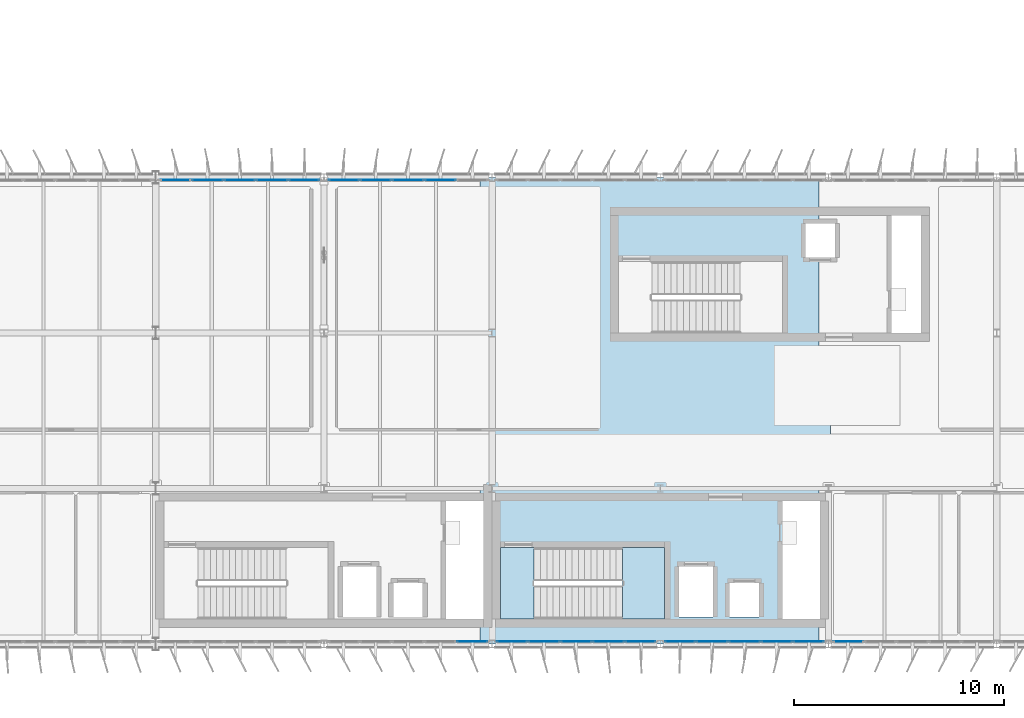
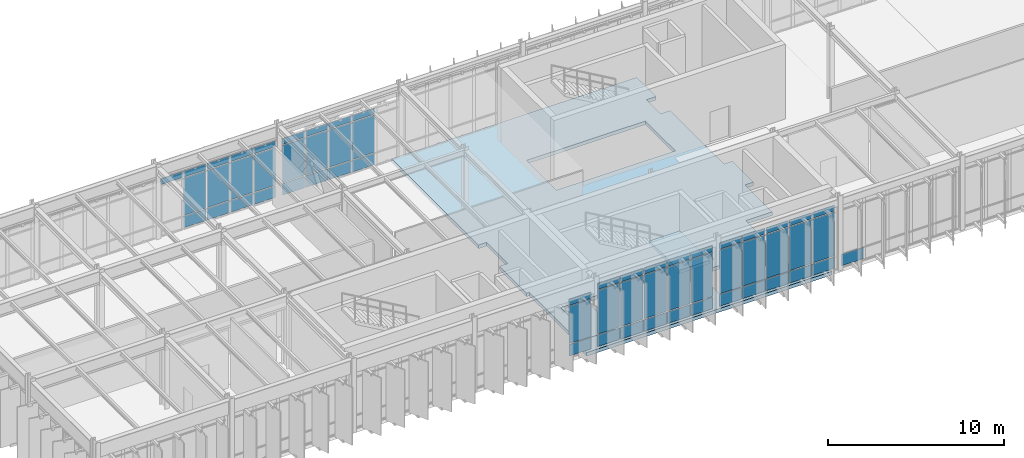
# One storey, part 27 of 48: 59 plates, 3 slabs, 7 elements without a shape of their own.
"""IFC4 building model written with IfcOpenShell, lengths in metres."""

from ifc_helpers import new_model, si_unit, direction, frame, origin, origin_2d, place, context, subcontext, project, spatial, polyline, rectangle, outline, extrude, material, layer, layer_set, type_object, element, aggregate, save


model = new_model("IFC4")

# Units and contexts
model_context = context("Model", 3, precision=1e-05, world=origin(), true_north=direction((0.0, 1.0)))
body_context = subcontext(model_context, "Body", "Model", "MODEL_VIEW")
ifc_project = project(units=[si_unit("LENGTHUNIT", "METRE"), si_unit("AREAUNIT", "SQUARE_METRE"), si_unit("VOLUMEUNIT", "CUBIC_METRE"), si_unit("PLANEANGLEUNIT", "RADIAN"), si_unit("MASSUNIT", "GRAM", prefix="KILO")], contexts=[model_context])

# Site, building, storey
site_placement = place(None, origin())
site = spatial("IfcSite", under=ifc_project, at=site_placement, CompositionType="ELEMENT")
building_placement = place(site_placement, origin())
building = spatial("IfcBuilding", under=site, at=building_placement, Name="Valkorina Park Police Headquarters", CompositionType="ELEMENT")
storey_placement = place(building_placement, frame((0.0, 0.0, 18.10009765625)))
storey = spatial("IfcBuildingStorey", under=building, at=storey_placement, Name="L05", CompositionType="ELEMENT", Elevation=18.10009765625)

# Curtain wall, plate
ifc_material_1 = material(Name="Thermally broken aluminium AW-6060", Category="aluminium")
ifc_layer_1 = layer(ifc_material_1, 0.18994140625)
ifc_layer_set_1 = layer_set([ifc_layer_1], Name="Thermally broken aluminium AW-6060")
curtain_wall_type_1 = type_object("IfcCurtainWallType", Name="CW-V5-7680x4520", PredefinedType="NOTDEFINED", material=ifc_layer_set_1)
curtain_wall_1_placement = place(storey_placement, origin())
curtain_wall_1 = element("IfcCurtainWall", 1, at=curtain_wall_1_placement, inside=storey, type_object=curtain_wall_type_1, Name="L05 Unitised Curtain Wall 068", PredefinedType="NOTDEFINED")
ifc_layer_2 = layer(ifc_material_1, 0.050048828125)
ifc_layer_set_2 = layer_set([ifc_layer_2], Name="Thermally broken aluminium AW-6060")
plate_type_1 = type_object("IfcPlateType", Name="PL-CWP-SPANDREL-50", PredefinedType="CURTAIN_PANEL", material=ifc_layer_set_2)
plate_1_placement = place(storey_placement, frame((49.74560546875, 37.1201171875, 0.06982421875), z_axis=(0.0, 0.0, 1.0), x_axis=(-1.0, 0.0, 0.0)))
plate_1 = element("IfcPlate", 2, at=plate_1_placement, type_object=plate_type_1, Name="CW-V5-768-452 panel 5.1", PredefinedType="CURTAIN_PANEL", context=body_context, shape_type="SweptSolid", body=[
    extrude(rectangle(XDim=1.430908203125, YDim=0.028076171875, at=origin_2d()), origin(), (0.0, 0.0, 1.0), 0.794921875),
])
aggregate(curtain_wall_1, [plate_1])

# Curtain wall, plates
curtain_wall_2_placement = place(storey_placement, origin())
curtain_wall_2 = element("IfcCurtainWall", 3, at=curtain_wall_2_placement, inside=storey, type_object=curtain_wall_type_1, Name="L05 Unitised Curtain Wall 069", PredefinedType="NOTDEFINED")
plate_2_placement = place(storey_placement, frame((47.8544921875, 37.1201171875, 0.06982421875), z_axis=(0.0, 0.0, 1.0), x_axis=(-1.0, 0.0, 0.0)))
plate_2 = element("IfcPlate", 4, at=plate_2_placement, type_object=plate_type_1, Name="CW-V5-768-452 panel 1.1", PredefinedType="CURTAIN_PANEL", context=body_context, shape_type="SweptSolid", body=[
    extrude(rectangle(XDim=1.430908203125, YDim=0.028076171875, at=origin_2d()), origin(), (0.0, 0.0, 1.0), 0.794921875),
])
plate_3_placement = place(storey_placement, frame((46.3359375, 37.1201171875, 0.06982421875), z_axis=(0.0, 0.0, 1.0), x_axis=(-1.0, 0.0, 0.0)))
plate_3 = element("IfcPlate", 5, at=plate_3_placement, type_object=plate_type_1, Name="CW-V5-768-452 panel 2.1", PredefinedType="CURTAIN_PANEL", context=body_context, shape_type="SweptSolid", body=[
    extrude(rectangle(XDim=1.466064453125, YDim=0.028076171875, at=origin_2d()), origin(), (0.0, 0.0, 1.0), 0.794921875),
])
plate_4_placement = place(storey_placement, frame((44.800048828125, 37.1201171875, 0.06982421875), z_axis=(0.0, 0.0, 1.0), x_axis=(-1.0, 0.0, 0.0)))
plate_4 = element("IfcPlate", 6, at=plate_4_placement, type_object=plate_type_1, Name="CW-V5-768-452 panel 3.1", PredefinedType="CURTAIN_PANEL", context=body_context, shape_type="SweptSolid", body=[
    extrude(rectangle(XDim=1.466064453125, YDim=0.028076171875, at=origin_2d()), origin(), (0.0, 0.0, 1.0), 0.794921875),
])
plate_5_placement = place(storey_placement, frame((43.263916015625, 37.1201171875, 0.06982421875), z_axis=(0.0, 0.0, 1.0), x_axis=(-1.0, 0.0, 0.0)))
plate_5 = element("IfcPlate", 7, at=plate_5_placement, type_object=plate_type_1, Name="CW-V5-768-452 panel 4.1", PredefinedType="CURTAIN_PANEL", context=body_context, shape_type="SweptSolid", body=[
    extrude(rectangle(XDim=1.466064453125, YDim=0.028076171875, at=origin_2d()), origin(), (0.0, 0.0, 1.0), 0.794921875),
])
plate_6_placement = place(storey_placement, frame((41.74560546875, 37.1201171875, 0.06982421875), z_axis=(0.0, 0.0, 1.0), x_axis=(-1.0, 0.0, 0.0)))
plate_6 = element("IfcPlate", 8, at=plate_6_placement, type_object=plate_type_1, Name="CW-V5-768-452 panel 5.1", PredefinedType="CURTAIN_PANEL", context=body_context, shape_type="SweptSolid", body=[
    extrude(rectangle(XDim=1.430908203125, YDim=0.028076171875, at=origin_2d()), origin(), (0.0, 0.0, 1.0), 0.794921875),
])

curtain_wall_3_placement = place(storey_placement, origin())
curtain_wall_3 = element("IfcCurtainWall", 9, at=curtain_wall_3_placement, inside=storey, type_object=curtain_wall_type_1, Name="L05 Unitised Curtain Wall 070", PredefinedType="NOTDEFINED")
plate_7_placement = place(storey_placement, frame((39.8544921875, 37.1201171875, 0.06982421875), z_axis=(0.0, 0.0, 1.0), x_axis=(-1.0, 0.0, 0.0)))
plate_7 = element("IfcPlate", 10, at=plate_7_placement, type_object=plate_type_1, Name="CW-V5-768-452 panel 1.1", PredefinedType="CURTAIN_PANEL", context=body_context, shape_type="SweptSolid", body=[
    extrude(rectangle(XDim=1.430908203125, YDim=0.028076171875, at=origin_2d()), origin(), (0.0, 0.0, 1.0), 0.794921875),
])
plate_8_placement = place(storey_placement, frame((38.3359375, 37.1201171875, 0.06982421875), z_axis=(0.0, 0.0, 1.0), x_axis=(-1.0, 0.0, 0.0)))
plate_8 = element("IfcPlate", 11, at=plate_8_placement, type_object=plate_type_1, Name="CW-V5-768-452 panel 2.1", PredefinedType="CURTAIN_PANEL", context=body_context, shape_type="SweptSolid", body=[
    extrude(rectangle(XDim=1.466064453125, YDim=0.028076171875, at=origin_2d()), origin(), (0.0, 0.0, 1.0), 0.794921875),
])
plate_9_placement = place(storey_placement, frame((36.800048828125, 37.1201171875, 0.06982421875), z_axis=(0.0, 0.0, 1.0), x_axis=(-1.0, 0.0, 0.0)))
plate_9 = element("IfcPlate", 12, at=plate_9_placement, type_object=plate_type_1, Name="CW-V5-768-452 panel 3.1", PredefinedType="CURTAIN_PANEL", context=body_context, shape_type="SweptSolid", body=[
    extrude(rectangle(XDim=1.466064453125, YDim=0.028076171875, at=origin_2d()), origin(), (0.0, 0.0, 1.0), 0.794921875),
])
plate_10_placement = place(storey_placement, frame((35.263916015625, 37.1201171875, 0.06982421875), z_axis=(0.0, 0.0, 1.0), x_axis=(-1.0, 0.0, 0.0)))
plate_10 = element("IfcPlate", 13, at=plate_10_placement, type_object=plate_type_1, Name="CW-V5-768-452 panel 4.1", PredefinedType="CURTAIN_PANEL", context=body_context, shape_type="SweptSolid", body=[
    extrude(rectangle(XDim=1.466064453125, YDim=0.028076171875, at=origin_2d()), origin(), (0.0, 0.0, 1.0), 0.794921875),
])
plate_11_placement = place(storey_placement, frame((33.74560546875, 37.1201171875, 0.06982421875), z_axis=(0.0, 0.0, 1.0), x_axis=(-1.0, 0.0, 0.0)))
plate_11 = element("IfcPlate", 14, at=plate_11_placement, type_object=plate_type_1, Name="CW-V5-768-452 panel 5.1", PredefinedType="CURTAIN_PANEL", context=body_context, shape_type="SweptSolid", body=[
    extrude(rectangle(XDim=1.430908203125, YDim=0.028076171875, at=origin_2d()), origin(), (0.0, 0.0, 1.0), 0.794921875),
])

# Curtain wall, plate
ifc_layer_3 = layer(ifc_material_1, 0.18994140625)
ifc_layer_set_3 = layer_set([ifc_layer_3], Name="Thermally broken aluminium AW-6060")
curtain_wall_type_2 = type_object("IfcCurtainWallType", Name="CW-V5-7680x4070", PredefinedType="NOTDEFINED", material=ifc_layer_set_3)
curtain_wall_4_placement = place(storey_placement, origin())
curtain_wall_4 = element("IfcCurtainWall", 15, at=curtain_wall_4_placement, inside=storey, type_object=curtain_wall_type_2, Name="L05 Unitised Curtain Wall 071", PredefinedType="NOTDEFINED")
plate_12_placement = place(storey_placement, frame((31.8544921875, 37.1201171875, 0.06982421875), z_axis=(0.0, 0.0, 1.0), x_axis=(-1.0, 0.0, 0.0)))
plate_12 = element("IfcPlate", 16, at=plate_12_placement, type_object=plate_type_1, Name="CW-V5-768-407 panel 1.1", PredefinedType="CURTAIN_PANEL", context=body_context, shape_type="SweptSolid", body=[
    extrude(rectangle(XDim=1.430908203125, YDim=0.028076171875, at=origin_2d()), origin(), (0.0, 0.0, 1.0), 0.794921875),
])

# Curtain wall, plates
curtain_wall_5_placement = place(storey_placement, origin())
curtain_wall_5 = element("IfcCurtainWall", 17, at=curtain_wall_5_placement, inside=storey, type_object=curtain_wall_type_2, Name="L05 Unitised Curtain Wall 080", PredefinedType="NOTDEFINED")
plate_13_placement = place(storey_placement, frame((19.263916015625, 59.080078125, 0.06982421875), z_axis=(0.0, 0.0, 1.0), x_axis=(1.0, 0.0, 0.0)))
plate_13 = element("IfcPlate", 18, at=plate_13_placement, type_object=plate_type_1, Name="CW-V5-768-407 panel 2.1", PredefinedType="CURTAIN_PANEL", context=body_context, shape_type="SweptSolid", body=[
    extrude(rectangle(XDim=1.466064453125, YDim=0.028076171875, at=origin_2d()), origin(), (0.0, 0.0, 1.0), 0.794921875),
])
plate_14_placement = place(storey_placement, frame((20.800048828125, 59.080078125, 0.06982421875), z_axis=(0.0, 0.0, 1.0), x_axis=(1.0, 0.0, 0.0)))
plate_14 = element("IfcPlate", 19, at=plate_14_placement, type_object=plate_type_1, Name="CW-V5-768-407 panel 3.1", PredefinedType="CURTAIN_PANEL", context=body_context, shape_type="SweptSolid", body=[
    extrude(rectangle(XDim=1.466064453125, YDim=0.028076171875, at=origin_2d()), origin(), (0.0, 0.0, 1.0), 0.794921875),
])
plate_15_placement = place(storey_placement, frame((22.3359375, 59.080078125, 0.06982421875), z_axis=(0.0, 0.0, 1.0), x_axis=(1.0, 0.0, 0.0)))
plate_15 = element("IfcPlate", 20, at=plate_15_placement, type_object=plate_type_1, Name="CW-V5-768-407 panel 4.1", PredefinedType="CURTAIN_PANEL", context=body_context, shape_type="SweptSolid", body=[
    extrude(rectangle(XDim=1.466064453125, YDim=0.028076171875, at=origin_2d()), origin(), (0.0, 0.0, 1.0), 0.794921875),
])
plate_16_placement = place(storey_placement, frame((23.8544921875, 59.080078125, 0.06982421875), z_axis=(0.0, 0.0, 1.0), x_axis=(1.0, 0.0, 0.0)))
plate_16 = element("IfcPlate", 21, at=plate_16_placement, type_object=plate_type_1, Name="CW-V5-768-407 panel 5.1", PredefinedType="CURTAIN_PANEL", context=body_context, shape_type="SweptSolid", body=[
    extrude(rectangle(XDim=1.430908203125, YDim=0.028076171875, at=origin_2d()), origin(), (0.0, 0.0, 1.0), 0.794921875),
])

curtain_wall_6_placement = place(storey_placement, origin())
curtain_wall_6 = element("IfcCurtainWall", 22, at=curtain_wall_6_placement, inside=storey, type_object=curtain_wall_type_2, Name="L05 Unitised Curtain Wall 081", PredefinedType="NOTDEFINED")
plate_17_placement = place(storey_placement, frame((25.74560546875, 59.080078125, 0.06982421875), z_axis=(0.0, 0.0, 1.0), x_axis=(1.0, 0.0, 0.0)))
plate_17 = element("IfcPlate", 23, at=plate_17_placement, type_object=plate_type_1, Name="CW-V5-768-407 panel 1.1", PredefinedType="CURTAIN_PANEL", context=body_context, shape_type="SweptSolid", body=[
    extrude(rectangle(XDim=1.430908203125, YDim=0.028076171875, at=origin_2d()), origin(), (0.0, 0.0, 1.0), 0.794921875),
])
plate_18_placement = place(storey_placement, frame((27.263916015625, 59.080078125, 0.06982421875), z_axis=(0.0, 0.0, 1.0), x_axis=(1.0, 0.0, 0.0)))
plate_18 = element("IfcPlate", 24, at=plate_18_placement, type_object=plate_type_1, Name="CW-V5-768-407 panel 2.1", PredefinedType="CURTAIN_PANEL", context=body_context, shape_type="SweptSolid", body=[
    extrude(rectangle(XDim=1.466064453125, YDim=0.028076171875, at=origin_2d()), origin(), (0.0, 0.0, 1.0), 0.794921875),
])
plate_19_placement = place(storey_placement, frame((28.800048828125, 59.080078125, 0.06982421875), z_axis=(0.0, 0.0, 1.0), x_axis=(1.0, 0.0, 0.0)))
plate_19 = element("IfcPlate", 25, at=plate_19_placement, type_object=plate_type_1, Name="CW-V5-768-407 panel 3.1", PredefinedType="CURTAIN_PANEL", context=body_context, shape_type="SweptSolid", body=[
    extrude(rectangle(XDim=1.466064453125, YDim=0.028076171875, at=origin_2d()), origin(), (0.0, 0.0, 1.0), 0.794921875),
])
plate_20_placement = place(storey_placement, frame((30.3359375, 59.080078125, 0.06982421875), z_axis=(0.0, 0.0, 1.0), x_axis=(1.0, 0.0, 0.0)))
plate_20 = element("IfcPlate", 26, at=plate_20_placement, type_object=plate_type_1, Name="CW-V5-768-407 panel 4.1", PredefinedType="CURTAIN_PANEL", context=body_context, shape_type="SweptSolid", body=[
    extrude(rectangle(XDim=1.466064453125, YDim=0.028076171875, at=origin_2d()), origin(), (0.0, 0.0, 1.0), 0.794921875),
])

# Plate
ifc_material_2 = material(Name="Triple low-E insulated glazing", Category="glass")
ifc_layer_4 = layer(ifc_material_2, 0.028076171875)
ifc_layer_set_4 = layer_set([ifc_layer_4], Name="Triple low-E insulated glazing")
plate_type_2 = type_object("IfcPlateType", Name="PL-CWP-VISION-28", PredefinedType="CURTAIN_PANEL", material=ifc_layer_set_4)
plate_21_placement = place(storey_placement, frame((47.8544921875, 37.1201171875, 0.93505859375), z_axis=(0.0, 0.0, 1.0), x_axis=(-1.0, 0.0, 0.0)))
plate_21 = element("IfcPlate", 27, at=plate_21_placement, type_object=plate_type_2, Name="CW-V5-768-452 panel 1.2", PredefinedType="CURTAIN_PANEL", context=body_context, shape_type="SweptSolid", body=[
    extrude(rectangle(XDim=1.430908203125, YDim=0.028076171875, at=origin_2d()), origin(), (0.0, 0.0, 1.0), 3.030029296875),
])

plate_22_placement = place(storey_placement, frame((47.8544921875, 37.1201171875, 4.034912109375), z_axis=(0.0, 0.0, 1.0), x_axis=(-1.0, 0.0, 0.0)))
plate_22 = element("IfcPlate", 28, at=plate_22_placement, type_object=plate_type_2, Name="CW-V5-768-452 panel 1.3", PredefinedType="CURTAIN_PANEL", context=body_context, shape_type="SweptSolid", body=[
    extrude(rectangle(XDim=1.430908203125, YDim=0.028076171875, at=origin_2d()), origin(), (0.0, 0.0, 1.0), 0.4150390625),
])

plate_23_placement = place(storey_placement, frame((46.3359375, 37.1201171875, 0.93505859375), z_axis=(0.0, 0.0, 1.0), x_axis=(-1.0, 0.0, 0.0)))
plate_23 = element("IfcPlate", 29, at=plate_23_placement, type_object=plate_type_2, Name="CW-V5-768-452 panel 2.2", PredefinedType="CURTAIN_PANEL", context=body_context, shape_type="SweptSolid", body=[
    extrude(rectangle(XDim=1.466064453125, YDim=0.028076171875, at=origin_2d()), origin(), (0.0, 0.0, 1.0), 3.030029296875),
])

plate_24_placement = place(storey_placement, frame((46.3359375, 37.1201171875, 4.034912109375), z_axis=(0.0, 0.0, 1.0), x_axis=(-1.0, 0.0, 0.0)))
plate_24 = element("IfcPlate", 30, at=plate_24_placement, type_object=plate_type_2, Name="CW-V5-768-452 panel 2.3", PredefinedType="CURTAIN_PANEL", context=body_context, shape_type="SweptSolid", body=[
    extrude(rectangle(XDim=1.466064453125, YDim=0.028076171875, at=origin_2d()), origin(), (0.0, 0.0, 1.0), 0.4150390625),
])

plate_25_placement = place(storey_placement, frame((44.800048828125, 37.1201171875, 0.93505859375), z_axis=(0.0, 0.0, 1.0), x_axis=(-1.0, 0.0, 0.0)))
plate_25 = element("IfcPlate", 31, at=plate_25_placement, type_object=plate_type_2, Name="CW-V5-768-452 panel 3.2", PredefinedType="CURTAIN_PANEL", context=body_context, shape_type="SweptSolid", body=[
    extrude(rectangle(XDim=1.466064453125, YDim=0.028076171875, at=origin_2d()), origin(), (0.0, 0.0, 1.0), 3.030029296875),
])

plate_26_placement = place(storey_placement, frame((44.800048828125, 37.1201171875, 4.034912109375), z_axis=(0.0, 0.0, 1.0), x_axis=(-1.0, 0.0, 0.0)))
plate_26 = element("IfcPlate", 32, at=plate_26_placement, type_object=plate_type_2, Name="CW-V5-768-452 panel 3.3", PredefinedType="CURTAIN_PANEL", context=body_context, shape_type="SweptSolid", body=[
    extrude(rectangle(XDim=1.466064453125, YDim=0.028076171875, at=origin_2d()), origin(), (0.0, 0.0, 1.0), 0.4150390625),
])

plate_27_placement = place(storey_placement, frame((43.263916015625, 37.1201171875, 0.93505859375), z_axis=(0.0, 0.0, 1.0), x_axis=(-1.0, 0.0, 0.0)))
plate_27 = element("IfcPlate", 33, at=plate_27_placement, type_object=plate_type_2, Name="CW-V5-768-452 panel 4.2", PredefinedType="CURTAIN_PANEL", context=body_context, shape_type="SweptSolid", body=[
    extrude(rectangle(XDim=1.466064453125, YDim=0.028076171875, at=origin_2d()), origin(), (0.0, 0.0, 1.0), 3.030029296875),
])

plate_28_placement = place(storey_placement, frame((43.263916015625, 37.1201171875, 4.034912109375), z_axis=(0.0, 0.0, 1.0), x_axis=(-1.0, 0.0, 0.0)))
plate_28 = element("IfcPlate", 34, at=plate_28_placement, type_object=plate_type_2, Name="CW-V5-768-452 panel 4.3", PredefinedType="CURTAIN_PANEL", context=body_context, shape_type="SweptSolid", body=[
    extrude(rectangle(XDim=1.466064453125, YDim=0.028076171875, at=origin_2d()), origin(), (0.0, 0.0, 1.0), 0.4150390625),
])

plate_29_placement = place(storey_placement, frame((41.74560546875, 37.1201171875, 0.93505859375), z_axis=(0.0, 0.0, 1.0), x_axis=(-1.0, 0.0, 0.0)))
plate_29 = element("IfcPlate", 35, at=plate_29_placement, type_object=plate_type_2, Name="CW-V5-768-452 panel 5.2", PredefinedType="CURTAIN_PANEL", context=body_context, shape_type="SweptSolid", body=[
    extrude(rectangle(XDim=1.430908203125, YDim=0.028076171875, at=origin_2d()), origin(), (0.0, 0.0, 1.0), 3.030029296875),
])

plate_30_placement = place(storey_placement, frame((41.74560546875, 37.1201171875, 4.034912109375), z_axis=(0.0, 0.0, 1.0), x_axis=(-1.0, 0.0, 0.0)))
plate_30 = element("IfcPlate", 36, at=plate_30_placement, type_object=plate_type_2, Name="CW-V5-768-452 panel 5.3", PredefinedType="CURTAIN_PANEL", context=body_context, shape_type="SweptSolid", body=[
    extrude(rectangle(XDim=1.430908203125, YDim=0.028076171875, at=origin_2d()), origin(), (0.0, 0.0, 1.0), 0.4150390625),
])

aggregate(curtain_wall_2, [plate_2, plate_21, plate_22, plate_3, plate_23, plate_24, plate_4, plate_25, plate_26, plate_5, plate_27, plate_28, plate_6, plate_29, plate_30])

plate_31_placement = place(storey_placement, frame((39.8544921875, 37.1201171875, 0.93505859375), z_axis=(0.0, 0.0, 1.0), x_axis=(-1.0, 0.0, 0.0)))
plate_31 = element("IfcPlate", 37, at=plate_31_placement, type_object=plate_type_2, Name="CW-V5-768-452 panel 1.2", PredefinedType="CURTAIN_PANEL", context=body_context, shape_type="SweptSolid", body=[
    extrude(rectangle(XDim=1.430908203125, YDim=0.028076171875, at=origin_2d()), origin(), (0.0, 0.0, 1.0), 3.030029296875),
])

plate_32_placement = place(storey_placement, frame((39.8544921875, 37.1201171875, 4.034912109375), z_axis=(0.0, 0.0, 1.0), x_axis=(-1.0, 0.0, 0.0)))
plate_32 = element("IfcPlate", 38, at=plate_32_placement, type_object=plate_type_2, Name="CW-V5-768-452 panel 1.3", PredefinedType="CURTAIN_PANEL", context=body_context, shape_type="SweptSolid", body=[
    extrude(rectangle(XDim=1.430908203125, YDim=0.028076171875, at=origin_2d()), origin(), (0.0, 0.0, 1.0), 0.4150390625),
])

plate_33_placement = place(storey_placement, frame((38.3359375, 37.1201171875, 0.93505859375), z_axis=(0.0, 0.0, 1.0), x_axis=(-1.0, 0.0, 0.0)))
plate_33 = element("IfcPlate", 39, at=plate_33_placement, type_object=plate_type_2, Name="CW-V5-768-452 panel 2.2", PredefinedType="CURTAIN_PANEL", context=body_context, shape_type="SweptSolid", body=[
    extrude(rectangle(XDim=1.466064453125, YDim=0.028076171875, at=origin_2d()), origin(), (0.0, 0.0, 1.0), 3.030029296875),
])

plate_34_placement = place(storey_placement, frame((38.3359375, 37.1201171875, 4.034912109375), z_axis=(0.0, 0.0, 1.0), x_axis=(-1.0, 0.0, 0.0)))
plate_34 = element("IfcPlate", 40, at=plate_34_placement, type_object=plate_type_2, Name="CW-V5-768-452 panel 2.3", PredefinedType="CURTAIN_PANEL", context=body_context, shape_type="SweptSolid", body=[
    extrude(rectangle(XDim=1.466064453125, YDim=0.028076171875, at=origin_2d()), origin(), (0.0, 0.0, 1.0), 0.4150390625),
])

plate_35_placement = place(storey_placement, frame((36.800048828125, 37.1201171875, 0.93505859375), z_axis=(0.0, 0.0, 1.0), x_axis=(-1.0, 0.0, 0.0)))
plate_35 = element("IfcPlate", 41, at=plate_35_placement, type_object=plate_type_2, Name="CW-V5-768-452 panel 3.2", PredefinedType="CURTAIN_PANEL", context=body_context, shape_type="SweptSolid", body=[
    extrude(rectangle(XDim=1.466064453125, YDim=0.028076171875, at=origin_2d()), origin(), (0.0, 0.0, 1.0), 3.030029296875),
])

plate_36_placement = place(storey_placement, frame((36.800048828125, 37.1201171875, 4.034912109375), z_axis=(0.0, 0.0, 1.0), x_axis=(-1.0, 0.0, 0.0)))
plate_36 = element("IfcPlate", 42, at=plate_36_placement, type_object=plate_type_2, Name="CW-V5-768-452 panel 3.3", PredefinedType="CURTAIN_PANEL", context=body_context, shape_type="SweptSolid", body=[
    extrude(rectangle(XDim=1.466064453125, YDim=0.028076171875, at=origin_2d()), origin(), (0.0, 0.0, 1.0), 0.4150390625),
])

plate_37_placement = place(storey_placement, frame((35.263916015625, 37.1201171875, 0.93505859375), z_axis=(0.0, 0.0, 1.0), x_axis=(-1.0, 0.0, 0.0)))
plate_37 = element("IfcPlate", 43, at=plate_37_placement, type_object=plate_type_2, Name="CW-V5-768-452 panel 4.2", PredefinedType="CURTAIN_PANEL", context=body_context, shape_type="SweptSolid", body=[
    extrude(rectangle(XDim=1.466064453125, YDim=0.028076171875, at=origin_2d()), origin(), (0.0, 0.0, 1.0), 3.030029296875),
])

plate_38_placement = place(storey_placement, frame((35.263916015625, 37.1201171875, 4.034912109375), z_axis=(0.0, 0.0, 1.0), x_axis=(-1.0, 0.0, 0.0)))
plate_38 = element("IfcPlate", 44, at=plate_38_placement, type_object=plate_type_2, Name="CW-V5-768-452 panel 4.3", PredefinedType="CURTAIN_PANEL", context=body_context, shape_type="SweptSolid", body=[
    extrude(rectangle(XDim=1.466064453125, YDim=0.028076171875, at=origin_2d()), origin(), (0.0, 0.0, 1.0), 0.4150390625),
])

plate_39_placement = place(storey_placement, frame((33.74560546875, 37.1201171875, 0.93505859375), z_axis=(0.0, 0.0, 1.0), x_axis=(-1.0, 0.0, 0.0)))
plate_39 = element("IfcPlate", 45, at=plate_39_placement, type_object=plate_type_2, Name="CW-V5-768-452 panel 5.2", PredefinedType="CURTAIN_PANEL", context=body_context, shape_type="SweptSolid", body=[
    extrude(rectangle(XDim=1.430908203125, YDim=0.028076171875, at=origin_2d()), origin(), (0.0, 0.0, 1.0), 3.030029296875),
])

plate_40_placement = place(storey_placement, frame((33.74560546875, 37.1201171875, 4.034912109375), z_axis=(0.0, 0.0, 1.0), x_axis=(-1.0, 0.0, 0.0)))
plate_40 = element("IfcPlate", 46, at=plate_40_placement, type_object=plate_type_2, Name="CW-V5-768-452 panel 5.3", PredefinedType="CURTAIN_PANEL", context=body_context, shape_type="SweptSolid", body=[
    extrude(rectangle(XDim=1.430908203125, YDim=0.028076171875, at=origin_2d()), origin(), (0.0, 0.0, 1.0), 0.4150390625),
])

aggregate(curtain_wall_3, [plate_7, plate_31, plate_32, plate_8, plate_33, plate_34, plate_9, plate_35, plate_36, plate_10, plate_37, plate_38, plate_11, plate_39, plate_40])

plate_41_placement = place(storey_placement, frame((31.8544921875, 37.1201171875, 0.934814453125), z_axis=(0.0, 0.0, 1.0), x_axis=(-1.0, 0.0, 0.0)))
plate_41 = element("IfcPlate", 47, at=plate_41_placement, type_object=plate_type_2, Name="CW-V5-768-407 panel 1.2", PredefinedType="CURTAIN_PANEL", context=body_context, shape_type="SweptSolid", body=[
    extrude(rectangle(XDim=1.430908203125, YDim=0.028076171875, at=origin_2d()), origin(), (0.0, 0.0, 1.0), 2.580078125),
])

plate_42_placement = place(storey_placement, frame((31.8544921875, 37.1201171875, 3.5849609375), z_axis=(0.0, 0.0, 1.0), x_axis=(-1.0, 0.0, 0.0)))
plate_42 = element("IfcPlate", 48, at=plate_42_placement, type_object=plate_type_2, Name="CW-V5-768-407 panel 1.3", PredefinedType="CURTAIN_PANEL", context=body_context, shape_type="SweptSolid", body=[
    extrude(rectangle(XDim=1.430908203125, YDim=0.028076171875, at=origin_2d()), origin(), (0.0, 0.0, 1.0), 0.4150390625),
])

aggregate(curtain_wall_4, [plate_12, plate_41, plate_42])

plate_43_placement = place(storey_placement, frame((17.74560546875, 59.080078125, 3.5849609375), z_axis=(0.0, 0.0, 1.0), x_axis=(1.0, 0.0, 0.0)))
plate_43 = element("IfcPlate", 49, at=plate_43_placement, type_object=plate_type_2, Name="CW-V5-768-407 panel 1.3", PredefinedType="CURTAIN_PANEL", context=body_context, shape_type="SweptSolid", body=[
    extrude(rectangle(XDim=1.430908203125, YDim=0.028076171875, at=origin_2d()), origin(), (0.0, 0.0, 1.0), 0.4150390625),
])

plate_44_placement = place(storey_placement, frame((19.263916015625, 59.080078125, 0.934814453125), z_axis=(0.0, 0.0, 1.0), x_axis=(1.0, 0.0, 0.0)))
plate_44 = element("IfcPlate", 50, at=plate_44_placement, type_object=plate_type_2, Name="CW-V5-768-407 panel 2.2", PredefinedType="CURTAIN_PANEL", context=body_context, shape_type="SweptSolid", body=[
    extrude(rectangle(XDim=1.466064453125, YDim=0.028076171875, at=origin_2d()), origin(), (0.0, 0.0, 1.0), 2.580078125),
])

plate_45_placement = place(storey_placement, frame((19.263916015625, 59.080078125, 3.5849609375), z_axis=(0.0, 0.0, 1.0), x_axis=(1.0, 0.0, 0.0)))
plate_45 = element("IfcPlate", 51, at=plate_45_placement, type_object=plate_type_2, Name="CW-V5-768-407 panel 2.3", PredefinedType="CURTAIN_PANEL", context=body_context, shape_type="SweptSolid", body=[
    extrude(rectangle(XDim=1.466064453125, YDim=0.028076171875, at=origin_2d()), origin(), (0.0, 0.0, 1.0), 0.4150390625),
])

plate_46_placement = place(storey_placement, frame((20.800048828125, 59.080078125, 0.934814453125), z_axis=(0.0, 0.0, 1.0), x_axis=(1.0, 0.0, 0.0)))
plate_46 = element("IfcPlate", 52, at=plate_46_placement, type_object=plate_type_2, Name="CW-V5-768-407 panel 3.2", PredefinedType="CURTAIN_PANEL", context=body_context, shape_type="SweptSolid", body=[
    extrude(rectangle(XDim=1.466064453125, YDim=0.028076171875, at=origin_2d()), origin(), (0.0, 0.0, 1.0), 2.580078125),
])

plate_47_placement = place(storey_placement, frame((20.800048828125, 59.080078125, 3.5849609375), z_axis=(0.0, 0.0, 1.0), x_axis=(1.0, 0.0, 0.0)))
plate_47 = element("IfcPlate", 53, at=plate_47_placement, type_object=plate_type_2, Name="CW-V5-768-407 panel 3.3", PredefinedType="CURTAIN_PANEL", context=body_context, shape_type="SweptSolid", body=[
    extrude(rectangle(XDim=1.466064453125, YDim=0.028076171875, at=origin_2d()), origin(), (0.0, 0.0, 1.0), 0.4150390625),
])

plate_48_placement = place(storey_placement, frame((22.3359375, 59.080078125, 0.934814453125), z_axis=(0.0, 0.0, 1.0), x_axis=(1.0, 0.0, 0.0)))
plate_48 = element("IfcPlate", 54, at=plate_48_placement, type_object=plate_type_2, Name="CW-V5-768-407 panel 4.2", PredefinedType="CURTAIN_PANEL", context=body_context, shape_type="SweptSolid", body=[
    extrude(rectangle(XDim=1.466064453125, YDim=0.028076171875, at=origin_2d()), origin(), (0.0, 0.0, 1.0), 2.580078125),
])

plate_49_placement = place(storey_placement, frame((22.3359375, 59.080078125, 3.5849609375), z_axis=(0.0, 0.0, 1.0), x_axis=(1.0, 0.0, 0.0)))
plate_49 = element("IfcPlate", 55, at=plate_49_placement, type_object=plate_type_2, Name="CW-V5-768-407 panel 4.3", PredefinedType="CURTAIN_PANEL", context=body_context, shape_type="SweptSolid", body=[
    extrude(rectangle(XDim=1.466064453125, YDim=0.028076171875, at=origin_2d()), origin(), (0.0, 0.0, 1.0), 0.4150390625),
])

plate_50_placement = place(storey_placement, frame((23.8544921875, 59.080078125, 0.934814453125), z_axis=(0.0, 0.0, 1.0), x_axis=(1.0, 0.0, 0.0)))
plate_50 = element("IfcPlate", 56, at=plate_50_placement, type_object=plate_type_2, Name="CW-V5-768-407 panel 5.2", PredefinedType="CURTAIN_PANEL", context=body_context, shape_type="SweptSolid", body=[
    extrude(rectangle(XDim=1.430908203125, YDim=0.028076171875, at=origin_2d()), origin(), (0.0, 0.0, 1.0), 2.580078125),
])

plate_51_placement = place(storey_placement, frame((23.8544921875, 59.080078125, 3.5849609375), z_axis=(0.0, 0.0, 1.0), x_axis=(1.0, 0.0, 0.0)))
plate_51 = element("IfcPlate", 57, at=plate_51_placement, type_object=plate_type_2, Name="CW-V5-768-407 panel 5.3", PredefinedType="CURTAIN_PANEL", context=body_context, shape_type="SweptSolid", body=[
    extrude(rectangle(XDim=1.430908203125, YDim=0.028076171875, at=origin_2d()), origin(), (0.0, 0.0, 1.0), 0.4150390625),
])

aggregate(curtain_wall_5, [plate_43, plate_13, plate_44, plate_45, plate_14, plate_46, plate_47, plate_15, plate_48, plate_49, plate_16, plate_50, plate_51])

plate_52_placement = place(storey_placement, frame((25.74560546875, 59.080078125, 0.934814453125), z_axis=(0.0, 0.0, 1.0), x_axis=(1.0, 0.0, 0.0)))
plate_52 = element("IfcPlate", 58, at=plate_52_placement, type_object=plate_type_2, Name="CW-V5-768-407 panel 1.2", PredefinedType="CURTAIN_PANEL", context=body_context, shape_type="SweptSolid", body=[
    extrude(rectangle(XDim=1.430908203125, YDim=0.028076171875, at=origin_2d()), origin(), (0.0, 0.0, 1.0), 2.580078125),
])

plate_53_placement = place(storey_placement, frame((25.74560546875, 59.080078125, 3.5849609375), z_axis=(0.0, 0.0, 1.0), x_axis=(1.0, 0.0, 0.0)))
plate_53 = element("IfcPlate", 59, at=plate_53_placement, type_object=plate_type_2, Name="CW-V5-768-407 panel 1.3", PredefinedType="CURTAIN_PANEL", context=body_context, shape_type="SweptSolid", body=[
    extrude(rectangle(XDim=1.430908203125, YDim=0.028076171875, at=origin_2d()), origin(), (0.0, 0.0, 1.0), 0.4150390625),
])

plate_54_placement = place(storey_placement, frame((27.263916015625, 59.080078125, 0.934814453125), z_axis=(0.0, 0.0, 1.0), x_axis=(1.0, 0.0, 0.0)))
plate_54 = element("IfcPlate", 60, at=plate_54_placement, type_object=plate_type_2, Name="CW-V5-768-407 panel 2.2", PredefinedType="CURTAIN_PANEL", context=body_context, shape_type="SweptSolid", body=[
    extrude(rectangle(XDim=1.466064453125, YDim=0.028076171875, at=origin_2d()), origin(), (0.0, 0.0, 1.0), 2.580078125),
])

plate_55_placement = place(storey_placement, frame((27.263916015625, 59.080078125, 3.5849609375), z_axis=(0.0, 0.0, 1.0), x_axis=(1.0, 0.0, 0.0)))
plate_55 = element("IfcPlate", 61, at=plate_55_placement, type_object=plate_type_2, Name="CW-V5-768-407 panel 2.3", PredefinedType="CURTAIN_PANEL", context=body_context, shape_type="SweptSolid", body=[
    extrude(rectangle(XDim=1.466064453125, YDim=0.028076171875, at=origin_2d()), origin(), (0.0, 0.0, 1.0), 0.4150390625),
])

plate_56_placement = place(storey_placement, frame((28.800048828125, 59.080078125, 0.934814453125), z_axis=(0.0, 0.0, 1.0), x_axis=(1.0, 0.0, 0.0)))
plate_56 = element("IfcPlate", 62, at=plate_56_placement, type_object=plate_type_2, Name="CW-V5-768-407 panel 3.2", PredefinedType="CURTAIN_PANEL", context=body_context, shape_type="SweptSolid", body=[
    extrude(rectangle(XDim=1.466064453125, YDim=0.028076171875, at=origin_2d()), origin(), (0.0, 0.0, 1.0), 2.580078125),
])

plate_57_placement = place(storey_placement, frame((28.800048828125, 59.080078125, 3.5849609375), z_axis=(0.0, 0.0, 1.0), x_axis=(1.0, 0.0, 0.0)))
plate_57 = element("IfcPlate", 63, at=plate_57_placement, type_object=plate_type_2, Name="CW-V5-768-407 panel 3.3", PredefinedType="CURTAIN_PANEL", context=body_context, shape_type="SweptSolid", body=[
    extrude(rectangle(XDim=1.466064453125, YDim=0.028076171875, at=origin_2d()), origin(), (0.0, 0.0, 1.0), 0.4150390625),
])

plate_58_placement = place(storey_placement, frame((30.3359375, 59.080078125, 0.934814453125), z_axis=(0.0, 0.0, 1.0), x_axis=(1.0, 0.0, 0.0)))
plate_58 = element("IfcPlate", 64, at=plate_58_placement, type_object=plate_type_2, Name="CW-V5-768-407 panel 4.2", PredefinedType="CURTAIN_PANEL", context=body_context, shape_type="SweptSolid", body=[
    extrude(rectangle(XDim=1.466064453125, YDim=0.028076171875, at=origin_2d()), origin(), (0.0, 0.0, 1.0), 2.580078125),
])

plate_59_placement = place(storey_placement, frame((30.3359375, 59.080078125, 3.5849609375), z_axis=(0.0, 0.0, 1.0), x_axis=(1.0, 0.0, 0.0)))
plate_59 = element("IfcPlate", 65, at=plate_59_placement, type_object=plate_type_2, Name="CW-V5-768-407 panel 4.3", PredefinedType="CURTAIN_PANEL", context=body_context, shape_type="SweptSolid", body=[
    extrude(rectangle(XDim=1.466064453125, YDim=0.028076171875, at=origin_2d()), origin(), (0.0, 0.0, 1.0), 0.4150390625),
])

aggregate(curtain_wall_6, [plate_17, plate_52, plate_53, plate_18, plate_54, plate_55, plate_19, plate_56, plate_57, plate_20, plate_58, plate_59])

# Slab
ifc_material_3 = material(Name="Concrete C35/45", Category="concrete")
ifc_layer_5 = layer(ifc_material_3, 0.2451171875)
ifc_layer_set_5 = layer_set([ifc_layer_5], Name="Concrete C35/45")
slab_type_1 = type_object("IfcSlabType", Name="SL-COMP-LAB-170", PredefinedType="FLOOR", material=ifc_layer_set_5)
slab_1_placement = place(storey_placement, frame((0.0, 0.0, -0.2451171875)))
element("IfcSlab", 66, at=slab_1_placement, inside=storey, type_object=slab_type_1, Name="L05 Structural Floor Slab 91", PredefinedType="FLOOR", context=body_context, shape_type="SweptSolid", body=[
    extrude(outline(polyline([(48.892822265625, 49.2958984375), (48.343017578125, 49.2958984375), (48.343017578125, 55.39990234375), (47.699951171875, 55.39990234375), (47.699951171875, 57.0), (48.343017578125, 57.0), (48.343017578125, 59.19189453125), (32.228515625, 59.19189453125), (32.228515625, 49.2958984375), (32.778564453125, 49.2958984375), (32.778564453125, 46.89599609375), (32.228515625, 46.89599609375), (32.228515625, 43.800048828125), (32.39990234375, 43.800048828125), (32.39990234375, 38.199951171875), (32.228515625, 38.199951171875), (32.228515625, 37.0), (48.343017578125, 37.0), (48.343017578125, 38.199951171875), (46.60009765625, 38.199951171875), (46.60009765625, 43.800048828125), (48.343017578125, 43.800048828125), (48.343017578125, 46.89599609375), (48.892822265625, 46.89599609375), (48.892822265625, 49.2958984375)]), holes=[polyline([(43.300048828125, 38.300048828125), (41.699951171875, 38.300048828125), (41.699951171875, 40.699951171875), (43.300048828125, 40.699951171875), (43.300048828125, 38.300048828125)]), polyline([(33.199951171875, 38.199951171875), (33.199951171875, 41.60009765625), (41.0, 41.60009765625), (41.0, 38.199951171875), (33.199951171875, 38.199951171875)]), polyline([(38.800048828125, 51.800048828125), (38.800048828125, 55.199951171875), (46.60009765625, 55.199951171875), (46.60009765625, 51.800048828125), (38.800048828125, 51.800048828125)]), polyline([(45.5, 39.89990234375), (45.5, 38.300048828125), (44.10009765625, 38.300048828125), (44.10009765625, 39.89990234375), (45.5, 39.89990234375)])]), origin(), (0.0, 0.0, 1.0), 0.2451171875),
])

# Stair, slab
stair_type = type_object("IfcStairType", Name="ST-DOGLEG-160-52", PredefinedType="HALF_TURN_STAIR", material=ifc_material_3)
stair_placement = place(storey_placement, origin())
stair = element("IfcStair", 67, at=stair_placement, inside=storey, type_object=stair_type, Name="L05 Core C2 Protected Stair (ST-06)", PredefinedType="HALF_TURN_STAIR")
ifc_layer_6 = layer(ifc_material_3, 0.22998046875)
ifc_layer_set_6 = layer_set([ifc_layer_6], Name="Concrete C35/45")
slab_type_2 = type_object("IfcSlabType", Name="SL-LANDING-230", PredefinedType="LANDING", material=ifc_layer_set_6)
slab_2_placement = place(storey_placement, frame((0.0, 0.0, 2.369873046875)))
slab_2 = element("IfcSlab", 68, at=slab_2_placement, type_object=slab_type_2, Name="ST-06 landing 1", PredefinedType="LANDING", context=body_context, shape_type="SweptSolid", body=[
    extrude(outline(polyline([(39.0, 38.199951171875), (41.0, 38.199951171875), (41.0, 41.60009765625), (39.0, 41.60009765625), (39.0, 38.199951171875)])), origin(), (0.0, 0.0, 1.0), 0.22998046875),
])
aggregate(stair, [slab_2])

# Slab
ifc_material_4 = material(Name="Concrete C40/50", Category="concrete")
ifc_layer_7 = layer(ifc_material_4, 0.300048828125)
ifc_layer_set_7 = layer_set([ifc_layer_7], Name="Concrete C40/50")
slab_type_3 = type_object("IfcSlabType", Name="SL-VAULT-300", PredefinedType="FLOOR", material=ifc_layer_set_7)
slab_3_placement = place(storey_placement, frame((0.0, 0.0, -0.300048828125)))
element("IfcSlab", 69, at=slab_3_placement, inside=storey, type_object=slab_type_3, Name="L05 Core C2 Structural Floor Landing Slab", PredefinedType="FLOOR", context=body_context, shape_type="SweptSolid", body=[
    extrude(outline(polyline([(33.199951171875, 38.199951171875), (34.800048828125, 38.199951171875), (34.800048828125, 41.60009765625), (33.199951171875, 41.60009765625), (33.199951171875, 38.199951171875)])), origin(), (0.0, 0.0, 1.0), 0.300048828125),
])

save(model, "model.ifc")
